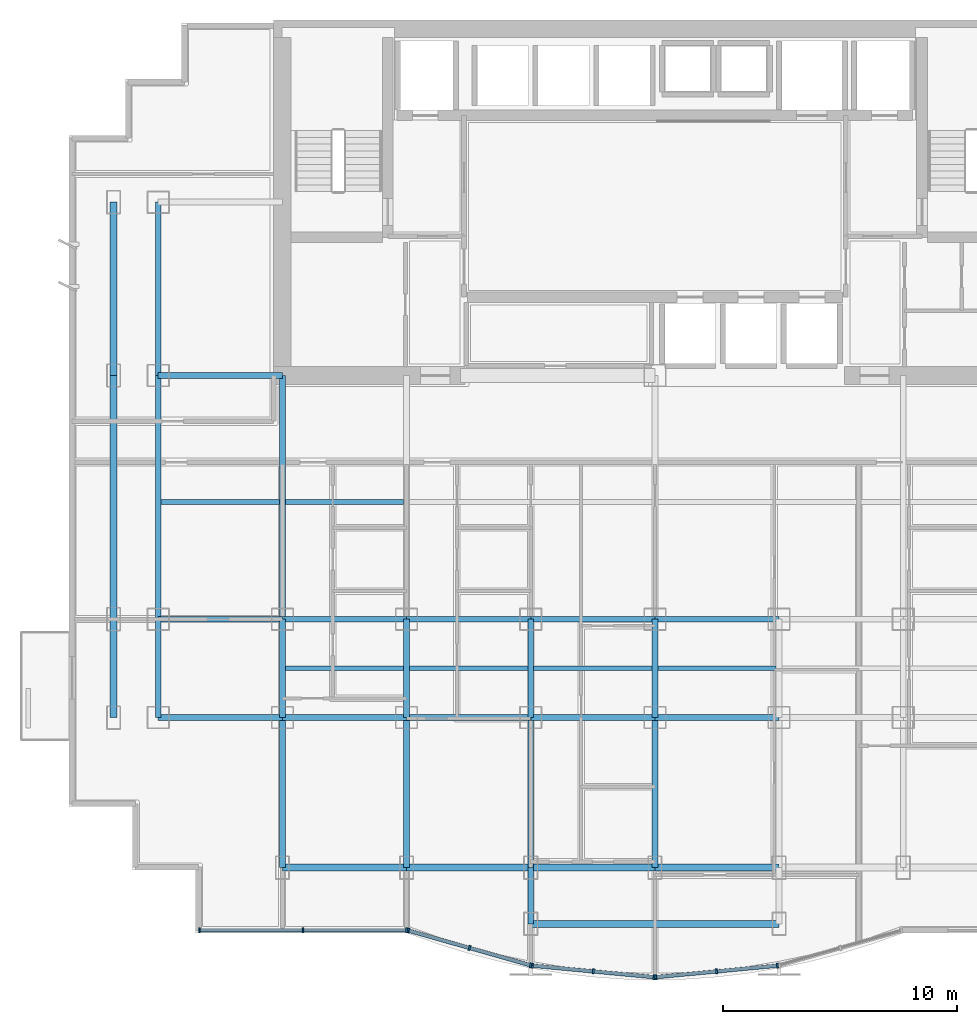
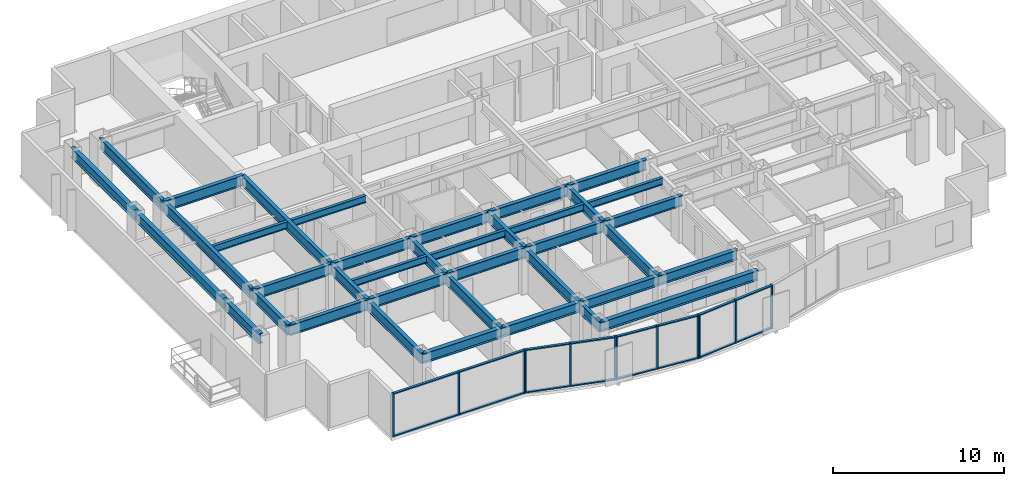
# One storey, part 2 of 10: 38 beams, 28 members, 4 elements without a shape of their own.
"""IFC4 building model written with IfcOpenShell, lengths in metres."""

from ifc_helpers import new_model, si_unit, direction, frame, origin, origin_2d, place, context, subcontext, project, spatial, rectangle, i_section, extrude, source, transform, mapped, material, layer, layer_set, material_profile, profile_set, type_object, element, aggregate, save


model = new_model("IFC4")

# Units and contexts
model_context = context("Model", 3, precision=1e-05, world=origin(), true_north=direction((0.0, 1.0)))
body_context = subcontext(model_context, "Body", "Model", "MODEL_VIEW")
ifc_project = project(units=[si_unit("LENGTHUNIT", "METRE"), si_unit("AREAUNIT", "SQUARE_METRE"), si_unit("VOLUMEUNIT", "CUBIC_METRE"), si_unit("PLANEANGLEUNIT", "RADIAN"), si_unit("MASSUNIT", "GRAM", prefix="KILO")], contexts=[model_context])

# Site, building, storey
site_placement = place(None, origin())
site = spatial("IfcSite", under=ifc_project, at=site_placement, CompositionType="ELEMENT")
building_placement = place(site_placement, origin())
building = spatial("IfcBuilding", under=site, at=building_placement, Name="Qianlan Lanfeng Residences", CompositionType="ELEMENT")
storey_placement = place(building_placement, frame((0.0, 0.0, 118.0)))
storey = spatial("IfcBuildingStorey", under=building, at=storey_placement, Name="L32", CompositionType="ELEMENT", Elevation=118.0)

# Beams
ifc_material_1 = material(Name="Steel SN490B", Category="steel")
ifc_material_profile_1 = material_profile(ifc_material_1, i_section(OverallWidth=0.25, OverallDepth=0.75, WebThickness=0.013916015625, FlangeThickness=0.02490234375, at=origin_2d()), Name="H 750x250x14x25")
ifc_profile_set_1 = profile_set([ifc_material_profile_1], Name="Steel SN490B")
beam_type_1 = type_object("IfcBeamType", Name="G-850", PredefinedType="BEAM", material=ifc_profile_set_1)
beam_1_placement = place(storey_placement, frame((5.300048828125, 10.60009765625, 2.715087890625), z_axis=(1.0, 0.0, 0.0), x_axis=(0.0, 1.0, 0.0)))
element("IfcBeam", 1, at=beam_1_placement, inside=storey, type_object=beam_type_1, Name="Structural beam G-850", PredefinedType="BEAM", context=body_context, shape_type="SweptSolid", body=[
    extrude(i_section(OverallWidth=0.25, OverallDepth=0.75, WebThickness=0.013916015625, FlangeThickness=0.02490234375, at=origin_2d()), origin(), (0.0, 0.0, 1.0), 5.300048828125),
])
beam_2_placement = place(storey_placement, frame((10.60009765625, 10.60009765625, 2.715087890625), z_axis=(1.0, 0.0, 0.0), x_axis=(0.0, 1.0, 0.0)))
element("IfcBeam", 2, at=beam_2_placement, inside=storey, type_object=beam_type_1, Name="Structural beam G-850", PredefinedType="BEAM", context=body_context, shape_type="SweptSolid", body=[
    extrude(i_section(OverallWidth=0.25, OverallDepth=0.75, WebThickness=0.013916015625, FlangeThickness=0.02490234375, at=origin_2d()), origin(), (0.0, 0.0, 1.0), 5.2998046875),
])
for number, where, z_axis, x_axis, name in (
    (3, (15.89990234375, 10.60009765625, 2.715087890625), (1.0, 0.0, 0.0), (0.0, 1.0, 0.0), "Structural beam G-850"),
    (4, (21.199951171875, 10.60009765625, 2.715087890625), (1.0, 0.0, 0.0), (0.0, 1.0, 0.0), "Structural beam G-850"),
    (5, (26.5, 10.60009765625, 2.715087890625), (1.0, 0.0, 0.0), (0.0, 1.0, 0.0), "Structural beam G-850"),
    (6, (5.300048828125, 14.800048828125, 2.715087890625), (1.0, 0.0, 0.0), (0.0, 1.0, 0.0), "Structural beam G-850"),
):
    element("IfcBeam", number, at=place(storey_placement, frame(where, z_axis=z_axis, x_axis=x_axis)), inside=storey, type_object=beam_type_1, Name=name, PredefinedType="BEAM", context=body_context, shape_type="SweptSolid", body=[
        extrude(i_section(OverallWidth=0.25, OverallDepth=0.75, WebThickness=0.013916015625, FlangeThickness=0.02490234375, at=origin_2d()), origin(), (0.0, 0.0, 1.0), 5.300048828125),
    ])
beam_3_placement = place(storey_placement, frame((10.60009765625, 14.800048828125, 2.715087890625), z_axis=(1.0, 0.0, 0.0), x_axis=(0.0, 1.0, 0.0)))
element("IfcBeam", 7, at=beam_3_placement, inside=storey, type_object=beam_type_1, Name="Structural beam G-850", PredefinedType="BEAM", context=body_context, shape_type="SweptSolid", body=[
    extrude(i_section(OverallWidth=0.25, OverallDepth=0.75, WebThickness=0.013916015625, FlangeThickness=0.02490234375, at=origin_2d()), origin(), (0.0, 0.0, 1.0), 5.2998046875),
])
for number, where, z_axis, x_axis, name in (
    (8, (15.89990234375, 14.800048828125, 2.715087890625), (1.0, 0.0, 0.0), (0.0, 1.0, 0.0), "Structural beam G-850"),
    (9, (21.199951171875, 14.800048828125, 2.715087890625), (1.0, 0.0, 0.0), (0.0, 1.0, 0.0), "Structural beam G-850"),
    (10, (26.5, 14.800048828125, 2.715087890625), (1.0, 0.0, 0.0), (0.0, 1.0, 0.0), "Structural beam G-850"),
    (11, (5.300048828125, 25.199951171875, 2.715087890625), (1.0, 0.0, 0.0), (0.0, 1.0, 0.0), "Structural beam G-850"),
):
    element("IfcBeam", number, at=place(storey_placement, frame(where, z_axis=z_axis, x_axis=x_axis)), inside=storey, type_object=beam_type_1, Name=name, PredefinedType="BEAM", context=body_context, shape_type="SweptSolid", body=[
        extrude(i_section(OverallWidth=0.25, OverallDepth=0.75, WebThickness=0.013916015625, FlangeThickness=0.02490234375, at=origin_2d()), origin(), (0.0, 0.0, 1.0), 5.300048828125),
    ])
beam_4_placement = place(storey_placement, frame((5.300048828125, 10.60009765625, 2.715087890625), z_axis=(0.0, 1.0, 0.0), x_axis=(-1.0, 0.0, 0.0)))
element("IfcBeam", 12, at=beam_4_placement, inside=storey, type_object=beam_type_1, Name="Structural beam G-850", PredefinedType="BEAM", context=body_context, shape_type="SweptSolid", body=[
    extrude(i_section(OverallWidth=0.25, OverallDepth=0.75, WebThickness=0.013916015625, FlangeThickness=0.02490234375, at=origin_2d()), origin(), (0.0, 0.0, 1.0), 4.199951171875),
])
beam_5_placement = place(storey_placement, frame((5.300048828125, 14.800048828125, 2.715087890625), z_axis=(0.0, 1.0, 0.0), x_axis=(-1.0, 0.0, 0.0)))
element("IfcBeam", 13, at=beam_5_placement, inside=storey, type_object=beam_type_1, Name="Structural beam G-850", PredefinedType="BEAM", context=body_context, shape_type="SweptSolid", body=[
    extrude(i_section(OverallWidth=0.25, OverallDepth=0.75, WebThickness=0.013916015625, FlangeThickness=0.02490234375, at=origin_2d()), origin(), (0.0, 0.0, 1.0), 10.39990234375),
])
beam_6_placement = place(storey_placement, frame((5.300048828125, 25.199951171875, 2.715087890625), z_axis=(0.0, 1.0, 0.0), x_axis=(-1.0, 0.0, 0.0)))
element("IfcBeam", 14, at=beam_6_placement, inside=storey, type_object=beam_type_1, Name="Structural beam G-850", PredefinedType="BEAM", context=body_context, shape_type="SweptSolid", body=[
    extrude(i_section(OverallWidth=0.25, OverallDepth=0.75, WebThickness=0.013916015625, FlangeThickness=0.02490234375, at=origin_2d()), origin(), (0.0, 0.0, 1.0), 7.400146484375),
])
beam_7_placement = place(storey_placement, frame((10.60009765625, 4.199951171875, 2.715087890625), z_axis=(0.0, 1.0, 0.0), x_axis=(-1.0, 0.0, 0.0)))
element("IfcBeam", 15, at=beam_7_placement, inside=storey, type_object=beam_type_1, Name="Structural beam G-850", PredefinedType="BEAM", context=body_context, shape_type="SweptSolid", body=[
    extrude(i_section(OverallWidth=0.25, OverallDepth=0.75, WebThickness=0.013916015625, FlangeThickness=0.02490234375, at=origin_2d()), origin(), (0.0, 0.0, 1.0), 6.400146484375),
])
beam_8_placement = place(storey_placement, frame((10.60009765625, 10.60009765625, 2.715087890625), z_axis=(0.0, 1.0, 0.0), x_axis=(-1.0, 0.0, 0.0)))
element("IfcBeam", 16, at=beam_8_placement, inside=storey, type_object=beam_type_1, Name="Structural beam G-850", PredefinedType="BEAM", context=body_context, shape_type="SweptSolid", body=[
    extrude(i_section(OverallWidth=0.25, OverallDepth=0.75, WebThickness=0.013916015625, FlangeThickness=0.02490234375, at=origin_2d()), origin(), (0.0, 0.0, 1.0), 4.199951171875),
])
beam_9_placement = place(storey_placement, frame((10.60009765625, 14.800048828125, 2.715087890625), z_axis=(0.0, 1.0, 0.0), x_axis=(-1.0, 0.0, 0.0)))
element("IfcBeam", 17, at=beam_9_placement, inside=storey, type_object=beam_type_1, Name="Structural beam G-850", PredefinedType="BEAM", context=body_context, shape_type="SweptSolid", body=[
    extrude(i_section(OverallWidth=0.25, OverallDepth=0.75, WebThickness=0.013916015625, FlangeThickness=0.02490234375, at=origin_2d()), origin(), (0.0, 0.0, 1.0), 10.39990234375),
])
beam_10_placement = place(storey_placement, frame((15.89990234375, 4.199951171875, 2.715087890625), z_axis=(0.0, 1.0, 0.0), x_axis=(-1.0, 0.0, 0.0)))
element("IfcBeam", 18, at=beam_10_placement, inside=storey, type_object=beam_type_1, Name="Structural beam G-850", PredefinedType="BEAM", context=body_context, shape_type="SweptSolid", body=[
    extrude(i_section(OverallWidth=0.25, OverallDepth=0.75, WebThickness=0.013916015625, FlangeThickness=0.02490234375, at=origin_2d()), origin(), (0.0, 0.0, 1.0), 6.400146484375),
])
beam_11_placement = place(storey_placement, frame((15.89990234375, 10.60009765625, 2.715087890625), z_axis=(0.0, 1.0, 0.0), x_axis=(-1.0, 0.0, 0.0)))
element("IfcBeam", 19, at=beam_11_placement, inside=storey, type_object=beam_type_1, Name="Structural beam G-850", PredefinedType="BEAM", context=body_context, shape_type="SweptSolid", body=[
    extrude(i_section(OverallWidth=0.25, OverallDepth=0.75, WebThickness=0.013916015625, FlangeThickness=0.02490234375, at=origin_2d()), origin(), (0.0, 0.0, 1.0), 4.199951171875),
])
beam_12_placement = place(storey_placement, frame((21.199951171875, 1.800048828125, 2.715087890625), z_axis=(0.0, 1.0, 0.0), x_axis=(-1.0, 0.0, 0.0)))
element("IfcBeam", 20, at=beam_12_placement, inside=storey, type_object=beam_type_1, Name="Structural beam G-850", PredefinedType="BEAM", context=body_context, shape_type="SweptSolid", body=[
    extrude(i_section(OverallWidth=0.25, OverallDepth=0.75, WebThickness=0.013916015625, FlangeThickness=0.02490234375, at=origin_2d()), origin(), (0.0, 0.0, 1.0), 2.39990234375),
])
beam_13_placement = place(storey_placement, frame((21.199951171875, 4.199951171875, 2.715087890625), z_axis=(0.0, 1.0, 0.0), x_axis=(-1.0, 0.0, 0.0)))
element("IfcBeam", 21, at=beam_13_placement, inside=storey, type_object=beam_type_1, Name="Structural beam G-850", PredefinedType="BEAM", context=body_context, shape_type="SweptSolid", body=[
    extrude(i_section(OverallWidth=0.25, OverallDepth=0.75, WebThickness=0.013916015625, FlangeThickness=0.02490234375, at=origin_2d()), origin(), (0.0, 0.0, 1.0), 6.400146484375),
])
beam_14_placement = place(storey_placement, frame((21.199951171875, 10.60009765625, 2.715087890625), z_axis=(0.0, 1.0, 0.0), x_axis=(-1.0, 0.0, 0.0)))
element("IfcBeam", 22, at=beam_14_placement, inside=storey, type_object=beam_type_1, Name="Structural beam G-850", PredefinedType="BEAM", context=body_context, shape_type="SweptSolid", body=[
    extrude(i_section(OverallWidth=0.25, OverallDepth=0.75, WebThickness=0.013916015625, FlangeThickness=0.02490234375, at=origin_2d()), origin(), (0.0, 0.0, 1.0), 4.199951171875),
])
beam_15_placement = place(storey_placement, frame((26.5, 4.199951171875, 2.715087890625), z_axis=(0.0, 1.0, 0.0), x_axis=(-1.0, 0.0, 0.0)))
element("IfcBeam", 23, at=beam_15_placement, inside=storey, type_object=beam_type_1, Name="Structural beam G-850", PredefinedType="BEAM", context=body_context, shape_type="SweptSolid", body=[
    extrude(i_section(OverallWidth=0.25, OverallDepth=0.75, WebThickness=0.013916015625, FlangeThickness=0.02490234375, at=origin_2d()), origin(), (0.0, 0.0, 1.0), 6.400146484375),
])
beam_16_placement = place(storey_placement, frame((26.5, 10.60009765625, 2.715087890625), z_axis=(0.0, 1.0, 0.0), x_axis=(-1.0, 0.0, 0.0)))
element("IfcBeam", 24, at=beam_16_placement, inside=storey, type_object=beam_type_1, Name="Structural beam G-850", PredefinedType="BEAM", context=body_context, shape_type="SweptSolid", body=[
    extrude(i_section(OverallWidth=0.25, OverallDepth=0.75, WebThickness=0.013916015625, FlangeThickness=0.02490234375, at=origin_2d()), origin(), (0.0, 0.0, 1.0), 4.199951171875),
])
ifc_material_profile_2 = material_profile(ifc_material_1, i_section(OverallWidth=0.199951171875, OverallDepth=0.5, WebThickness=0.010009765625, FlangeThickness=0.01611328125, at=origin_2d()), Name="H 500x200x10x16")
ifc_profile_set_2 = profile_set([ifc_material_profile_2], Name="Steel SN490B")
beam_type_2 = type_object("IfcBeamType", Name="J-500", PredefinedType="JOIST", material=ifc_profile_set_2)
beam_17_placement = place(storey_placement, frame((10.72509765625, 12.699951171875, 2.840087890625), z_axis=(1.0, 0.0, 0.0), x_axis=(0.0, 1.0, 0.0)))
element("IfcBeam", 25, at=beam_17_placement, inside=storey, type_object=beam_type_2, Name="Structural beam J-500", PredefinedType="JOIST", context=body_context, shape_type="SweptSolid", body=[
    extrude(i_section(OverallWidth=0.199951171875, OverallDepth=0.5, WebThickness=0.010009765625, FlangeThickness=0.01611328125, at=origin_2d()), origin(), (0.0, 0.0, 1.0), 5.0498046875),
])
for number, where, z_axis, x_axis, name in (
    (26, (16.02490234375, 12.699951171875, 2.840087890625), (1.0, 0.0, 0.0), (0.0, 1.0, 0.0), "Structural beam J-500"),
    (27, (21.324951171875, 12.699951171875, 2.840087890625), (1.0, 0.0, 0.0), (0.0, 1.0, 0.0), "Structural beam J-500"),
    (28, (26.625, 12.699951171875, 2.840087890625), (1.0, 0.0, 0.0), (0.0, 1.0, 0.0), "Structural beam J-500"),
    (29, (5.425048828125, 19.800048828125, 2.840087890625), (1.0, 0.0, 0.0), (0.0, 1.0, 0.0), "Structural beam J-500"),
):
    element("IfcBeam", number, at=place(storey_placement, frame(where, z_axis=z_axis, x_axis=x_axis)), inside=storey, type_object=beam_type_2, Name=name, PredefinedType="JOIST", context=body_context, shape_type="SweptSolid", body=[
        extrude(i_section(OverallWidth=0.199951171875, OverallDepth=0.5, WebThickness=0.010009765625, FlangeThickness=0.01611328125, at=origin_2d()), origin(), (0.0, 0.0, 1.0), 5.050048828125),
    ])
beam_18_placement = place(storey_placement, frame((10.72509765625, 19.800048828125, 2.840087890625), z_axis=(1.0, 0.0, 0.0), x_axis=(0.0, 1.0, 0.0)))
element("IfcBeam", 30, at=beam_18_placement, inside=storey, type_object=beam_type_2, Name="Structural beam J-500", PredefinedType="JOIST", context=body_context, shape_type="SweptSolid", body=[
    extrude(i_section(OverallWidth=0.199951171875, OverallDepth=0.5, WebThickness=0.010009765625, FlangeThickness=0.01611328125, at=origin_2d()), origin(), (0.0, 0.0, 1.0), 5.0498046875),
])
ifc_material_profile_3 = material_profile(ifc_material_1, i_section(OverallWidth=0.300048828125, OverallDepth=0.699951171875, WebThickness=0.012939453125, FlangeThickness=0.02392578125, at=origin_2d()), Name="H 700x300x13x24")
ifc_profile_set_3 = profile_set([ifc_material_profile_3], Name="Steel SN490B")
beam_type_3 = type_object("IfcBeamType", Name="SG-750", PredefinedType="SPANDREL", material=ifc_profile_set_3)
beam_19_placement = place(storey_placement, frame((21.199951171875, 1.800048828125, 2.739990234375), z_axis=(1.0, 0.0, 0.0), x_axis=(0.0, 1.0, 0.0)))
element("IfcBeam", 31, at=beam_19_placement, inside=storey, type_object=beam_type_3, Name="Structural beam SG-750", PredefinedType="SPANDREL", context=body_context, shape_type="SweptSolid", body=[
    extrude(i_section(OverallWidth=0.300048828125, OverallDepth=0.699951171875, WebThickness=0.012939453125, FlangeThickness=0.02392578125, at=origin_2d()), origin(), (0.0, 0.0, 1.0), 10.60009765625),
])
beam_20_placement = place(storey_placement, frame((10.60009765625, 4.199951171875, 2.739990234375), z_axis=(1.0, 0.0, 0.0), x_axis=(0.0, 1.0, 0.0)))
element("IfcBeam", 32, at=beam_20_placement, inside=storey, type_object=beam_type_3, Name="Structural beam SG-750", PredefinedType="SPANDREL", context=body_context, shape_type="SweptSolid", body=[
    extrude(i_section(OverallWidth=0.300048828125, OverallDepth=0.699951171875, WebThickness=0.012939453125, FlangeThickness=0.02392578125, at=origin_2d()), origin(), (0.0, 0.0, 1.0), 5.2998046875),
])
for number, where, z_axis, x_axis, name in (
    (33, (15.89990234375, 4.199951171875, 2.739990234375), (1.0, 0.0, 0.0), (0.0, 1.0, 0.0), "Structural beam SG-750"),
    (34, (21.199951171875, 4.199951171875, 2.739990234375), (1.0, 0.0, 0.0), (0.0, 1.0, 0.0), "Structural beam SG-750"),
    (35, (26.5, 4.199951171875, 2.739990234375), (1.0, 0.0, 0.0), (0.0, 1.0, 0.0), "Structural beam SG-750"),
):
    element("IfcBeam", number, at=place(storey_placement, frame(where, z_axis=z_axis, x_axis=x_axis)), inside=storey, type_object=beam_type_3, Name=name, PredefinedType="SPANDREL", context=body_context, shape_type="SweptSolid", body=[
        extrude(i_section(OverallWidth=0.300048828125, OverallDepth=0.699951171875, WebThickness=0.012939453125, FlangeThickness=0.02392578125, at=origin_2d()), origin(), (0.0, 0.0, 1.0), 5.300048828125),
    ])
beam_21_placement = place(storey_placement, frame((3.39990234375, 10.60009765625, 2.739990234375), z_axis=(0.0, 1.0, 0.0), x_axis=(-1.0, 0.0, 0.0)))
element("IfcBeam", 36, at=beam_21_placement, inside=storey, type_object=beam_type_3, Name="Structural beam SG-750", PredefinedType="SPANDREL", context=body_context, shape_type="SweptSolid", body=[
    extrude(i_section(OverallWidth=0.300048828125, OverallDepth=0.699951171875, WebThickness=0.012939453125, FlangeThickness=0.02392578125, at=origin_2d()), origin(), (0.0, 0.0, 1.0), 4.199951171875),
])
beam_22_placement = place(storey_placement, frame((3.39990234375, 14.800048828125, 2.739990234375), z_axis=(0.0, 1.0, 0.0), x_axis=(-1.0, 0.0, 0.0)))
element("IfcBeam", 37, at=beam_22_placement, inside=storey, type_object=beam_type_3, Name="Structural beam SG-750", PredefinedType="SPANDREL", context=body_context, shape_type="SweptSolid", body=[
    extrude(i_section(OverallWidth=0.300048828125, OverallDepth=0.699951171875, WebThickness=0.012939453125, FlangeThickness=0.02392578125, at=origin_2d()), origin(), (0.0, 0.0, 1.0), 10.39990234375),
])
beam_23_placement = place(storey_placement, frame((3.39990234375, 25.199951171875, 2.739990234375), z_axis=(0.0, 1.0, 0.0), x_axis=(-1.0, 0.0, 0.0)))
element("IfcBeam", 38, at=beam_23_placement, inside=storey, type_object=beam_type_3, Name="Structural beam SG-750", PredefinedType="SPANDREL", context=body_context, shape_type="SweptSolid", body=[
    extrude(i_section(OverallWidth=0.300048828125, OverallDepth=0.699951171875, WebThickness=0.012939453125, FlangeThickness=0.02392578125, at=origin_2d()), origin(), (0.0, 0.0, 1.0), 7.400146484375),
])

# Curtain wall, members
ifc_material_2 = material(Name="Anodised Bronze Aluminium 6063-T6", Category="aluminium")
ifc_layer = layer(ifc_material_2, 0.219970703125)
ifc_layer_set = layer_set([ifc_layer], Name="Anodised Bronze Aluminium 6063-T6")
curtain_wall_type = type_object("IfcCurtainWallType", Name="CW-03", PredefinedType="NOTDEFINED", material=ifc_layer_set)
curtain_wall_1_placement = place(storey_placement, origin())
curtain_wall_1 = element("IfcCurtainWall", 39, at=curtain_wall_1_placement, inside=storey, type_object=curtain_wall_type, Name="L32 Unitised Curtain Wall CWR-L32-01 (CW-03)", PredefinedType="NOTDEFINED")
ifc_material_profile_4 = material_profile(ifc_material_2, rectangle(XDim=0.080078125, YDim=0.159912109375, at=origin_2d()), Name="ALU TRANSOM 80x160")
ifc_profile_set_4 = profile_set([ifc_material_profile_4], Name="Anodised Bronze Aluminium 6063-T6")
member_type_1 = type_object("IfcMemberType", Name="CWT-180", PredefinedType="USERDEFINED", material=ifc_profile_set_4)
shared_shape_1 = source(origin(), body_context, "Body", "SweptSolid", [
    extrude(rectangle(XDim=0.080078125, YDim=0.159912109375, at=origin_2d()), origin(), (0.0, 0.0, 1.0), 4.34033203125),
])
member_1_placement = place(storey_placement, frame((7.10009765625, 1.52001953125, 0.0400390625), z_axis=(1.0, 0.0, 0.0), x_axis=(0.0, 0.0, 1.0)))
member_1 = element("IfcMember", 40, at=member_1_placement, type_object=member_type_1, Name="CWR-L32-01 Transom 1-BOT", ObjectType="TRANSOM", PredefinedType="USERDEFINED", context=body_context, shape_type="MappedRepresentation", body=[
    mapped(shared_shape_1, transform((0.0, 0.0, 0.0), scale=1.0)),
])
member_2_placement = place(storey_placement, frame((7.10009765625, 1.52001953125, 3.050048828125), z_axis=(1.0, 0.0, 0.0), x_axis=(0.0, 0.0, 1.0)))
member_2 = element("IfcMember", 41, at=member_2_placement, type_object=member_type_1, Name="CWR-L32-01 Transom 1-TOP", ObjectType="TRANSOM", PredefinedType="USERDEFINED", context=body_context, shape_type="MappedRepresentation", body=[
    mapped(shared_shape_1, transform((0.0, 0.0, 0.0), scale=1.0)),
])
shared_shape_2 = source(origin(), body_context, "Body", "SweptSolid", [
    extrude(rectangle(XDim=0.080078125, YDim=0.159912109375, at=origin_2d()), origin(), (0.0, 0.0, 1.0), 4.340576171875),
])
member_3_placement = place(storey_placement, frame((11.5205078125, 1.52001953125, 0.0400390625), z_axis=(1.0, 0.0, 0.0), x_axis=(0.0, 0.0, 1.0)))
member_3 = element("IfcMember", 42, at=member_3_placement, type_object=member_type_1, Name="CWR-L32-01 Transom 2-BOT", ObjectType="TRANSOM", PredefinedType="USERDEFINED", context=body_context, shape_type="MappedRepresentation", body=[
    mapped(shared_shape_2, transform((0.0, 0.0, 0.0), scale=1.0)),
])
member_4_placement = place(storey_placement, frame((11.5205078125, 1.52001953125, 3.050048828125), z_axis=(1.0, 0.0, 0.0), x_axis=(0.0, 0.0, 1.0)))
member_4 = element("IfcMember", 43, at=member_4_placement, type_object=member_type_1, Name="CWR-L32-01 Transom 2-TOP", ObjectType="TRANSOM", PredefinedType="USERDEFINED", context=body_context, shape_type="MappedRepresentation", body=[
    mapped(shared_shape_2, transform((0.0, 0.0, 0.0), scale=1.0)),
])

curtain_wall_2_placement = place(storey_placement, origin())
curtain_wall_2 = element("IfcCurtainWall", 44, at=curtain_wall_2_placement, inside=storey, type_object=curtain_wall_type, Name="L32 Unitised Curtain Wall CWR-L32-02 (CW-03)", PredefinedType="NOTDEFINED")
shared_shape_3 = source(origin(), body_context, "Body", "SweptSolid", [
    extrude(rectangle(XDim=0.080078125, YDim=0.159912109375, at=origin_2d()), origin(), (0.0, 0.0, 1.0), 2.630126953125),
])
member_5_placement = place(storey_placement, frame((16.01806640625, 1.498291015625, 0.0400390625), z_axis=(0.961960587005, -0.273188266675, 0.0), x_axis=(0.0, 0.0, 1.0)))
member_5 = element("IfcMember", 45, at=member_5_placement, type_object=member_type_1, Name="CWR-L32-02 Transom 1-BOT", ObjectType="TRANSOM", PredefinedType="USERDEFINED", context=body_context, shape_type="MappedRepresentation", body=[
    mapped(shared_shape_3, transform((0.0, 0.0, 0.0), scale=1.0)),
])
member_6_placement = place(storey_placement, frame((16.01806640625, 1.498291015625, 3.050048828125), z_axis=(0.961960587005, -0.273188266675, 0.0), x_axis=(0.0, 0.0, 1.0)))
member_6 = element("IfcMember", 46, at=member_6_placement, type_object=member_type_1, Name="CWR-L32-02 Transom 1-TOP", ObjectType="TRANSOM", PredefinedType="USERDEFINED", context=body_context, shape_type="MappedRepresentation", body=[
    mapped(shared_shape_3, transform((0.0, 0.0, 0.0), scale=1.0)),
])
member_7_placement = place(storey_placement, frame((18.625, 0.758056640625, 0.0400390625), z_axis=(0.961984978242, -0.273102364758, 0.0), x_axis=(0.0, 0.0, 1.0)))
member_7 = element("IfcMember", 47, at=member_7_placement, type_object=member_type_1, Name="CWR-L32-02 Transom 2-BOT", ObjectType="TRANSOM", PredefinedType="USERDEFINED", context=body_context, shape_type="MappedRepresentation", body=[
    mapped(shared_shape_3, transform((0.0, 0.0, 0.0), scale=1.0)),
])
member_8_placement = place(storey_placement, frame((18.625, 0.758056640625, 3.050048828125), z_axis=(0.961984978242, -0.273102364758, 0.0), x_axis=(0.0, 0.0, 1.0)))
member_8 = element("IfcMember", 48, at=member_8_placement, type_object=member_type_1, Name="CWR-L32-02 Transom 2-TOP", ObjectType="TRANSOM", PredefinedType="USERDEFINED", context=body_context, shape_type="MappedRepresentation", body=[
    mapped(shared_shape_3, transform((0.0, 0.0, 0.0), scale=1.0)),
])

curtain_wall_3_placement = place(storey_placement, origin())
curtain_wall_3 = element("IfcCurtainWall", 49, at=curtain_wall_3_placement, inside=storey, type_object=curtain_wall_type, Name="L32 Unitised Curtain Wall CWR-L32-03 (CW-03)", PredefinedType="NOTDEFINED")
shared_shape_4 = source(origin(), body_context, "Body", "SweptSolid", [
    extrude(rectangle(XDim=0.080078125, YDim=0.159912109375, at=origin_2d()), origin(), (0.0, 0.0, 1.0), 2.52587890625),
])
member_9_placement = place(storey_placement, frame((21.3115234375, 0.010498046875, 0.0400390625), z_axis=(0.995558673677, -0.094143121181, 0.0), x_axis=(0.0, 0.0, 1.0)))
member_9 = element("IfcMember", 50, at=member_9_placement, type_object=member_type_1, Name="CWR-L32-03 Transom 1-BOT", ObjectType="TRANSOM", PredefinedType="USERDEFINED", context=body_context, shape_type="MappedRepresentation", body=[
    mapped(shared_shape_4, transform((0.0, 0.0, 0.0), scale=1.0)),
])
member_10_placement = place(storey_placement, frame((21.3115234375, 0.010498046875, 3.050048828125), z_axis=(0.995558673677, -0.094143121181, 0.0), x_axis=(0.0, 0.0, 1.0)))
member_10 = element("IfcMember", 51, at=member_10_placement, type_object=member_type_1, Name="CWR-L32-03 Transom 1-TOP", ObjectType="TRANSOM", PredefinedType="USERDEFINED", context=body_context, shape_type="MappedRepresentation", body=[
    mapped(shared_shape_4, transform((0.0, 0.0, 0.0), scale=1.0)),
])
member_11_placement = place(storey_placement, frame((23.90576171875, -0.23486328125, 0.0400390625), z_axis=(0.995567728251, -0.094047320348, 0.0), x_axis=(0.0, 0.0, 1.0)))
member_11 = element("IfcMember", 52, at=member_11_placement, type_object=member_type_1, Name="CWR-L32-03 Transom 2-BOT", ObjectType="TRANSOM", PredefinedType="USERDEFINED", context=body_context, shape_type="MappedRepresentation", body=[
    mapped(shared_shape_4, transform((0.0, 0.0, 0.0), scale=1.0)),
])
member_12_placement = place(storey_placement, frame((23.90576171875, -0.23486328125, 3.050048828125), z_axis=(0.995567728251, -0.094047320348, 0.0), x_axis=(0.0, 0.0, 1.0)))
member_12 = element("IfcMember", 53, at=member_12_placement, type_object=member_type_1, Name="CWR-L32-03 Transom 2-TOP", ObjectType="TRANSOM", PredefinedType="USERDEFINED", context=body_context, shape_type="MappedRepresentation", body=[
    mapped(shared_shape_4, transform((0.0, 0.0, 0.0), scale=1.0)),
])

curtain_wall_4_placement = place(storey_placement, origin())
curtain_wall_4 = element("IfcCurtainWall", 54, at=curtain_wall_4_placement, inside=storey, type_object=curtain_wall_type, Name="L32 Unitised Curtain Wall CWR-L32-04 (CW-03)", PredefinedType="NOTDEFINED")
member_13_placement = place(storey_placement, frame((29.173828125, -0.227294921875, 0.0400390625), z_axis=(0.995558673677, 0.094143121181, 0.0), x_axis=(0.0, 0.0, 1.0)))
member_13 = element("IfcMember", 55, at=member_13_placement, type_object=member_type_1, Name="CWR-L32-04 Transom 2-BOT", ObjectType="TRANSOM", PredefinedType="USERDEFINED", context=body_context, shape_type="MappedRepresentation", body=[
    mapped(shared_shape_4, transform((0.0, 0.0, 0.0), scale=1.0)),
])
member_14_placement = place(storey_placement, frame((29.173828125, -0.227294921875, 3.050048828125), z_axis=(0.995558673677, 0.094143121181, 0.0), x_axis=(0.0, 0.0, 1.0)))
member_14 = element("IfcMember", 56, at=member_14_placement, type_object=member_type_1, Name="CWR-L32-04 Transom 2-TOP", ObjectType="TRANSOM", PredefinedType="USERDEFINED", context=body_context, shape_type="MappedRepresentation", body=[
    mapped(shared_shape_4, transform((0.0, 0.0, 0.0), scale=1.0)),
])
shared_shape_5 = source(origin(), body_context, "Body", "SweptSolid", [
    extrude(rectangle(XDim=0.080078125, YDim=0.159912109375, at=origin_2d()), origin(), (0.0, 0.0, 1.0), 2.525634765625),
])
member_15_placement = place(storey_placement, frame((26.57958984375, -0.472412109375, 0.0400390625), z_axis=(0.995566873206, 0.094056371262, 0.0), x_axis=(0.0, 0.0, 1.0)))
member_15 = element("IfcMember", 57, at=member_15_placement, type_object=member_type_1, Name="CWR-L32-04 Transom 1-BOT", ObjectType="TRANSOM", PredefinedType="USERDEFINED", context=body_context, shape_type="MappedRepresentation", body=[
    mapped(shared_shape_5, transform((0.0, 0.0, 0.0), scale=1.0)),
])
member_16_placement = place(storey_placement, frame((26.57958984375, -0.472412109375, 3.050048828125), z_axis=(0.995566873206, 0.094056371262, 0.0), x_axis=(0.0, 0.0, 1.0)))
member_16 = element("IfcMember", 58, at=member_16_placement, type_object=member_type_1, Name="CWR-L32-04 Transom 1-TOP", ObjectType="TRANSOM", PredefinedType="USERDEFINED", context=body_context, shape_type="MappedRepresentation", body=[
    mapped(shared_shape_5, transform((0.0, 0.0, 0.0), scale=1.0)),
])

# Member
ifc_material_profile_5 = material_profile(ifc_material_2, rectangle(XDim=0.080078125, YDim=0.2099609375, at=origin_2d()), Name="ALU MULLION 80x210")
ifc_profile_set_5 = profile_set([ifc_material_profile_5], Name="Anodised Bronze Aluminium 6063-T6")
member_type_2 = type_object("IfcMemberType", Name="CWM-220", PredefinedType="MULLION", material=ifc_profile_set_5)
shared_shape_6 = source(origin(), body_context, "Body", "SweptSolid", [
    extrude(rectangle(XDim=0.080078125, YDim=0.2099609375, at=origin_2d()), origin(), (0.0, 0.0, 1.0), 3.090087890625),
])
member_17_placement = place(storey_placement, frame((7.06005859375, 1.52001953125, 0.0), z_axis=(0.0, 0.0, 1.0), x_axis=(1.0, 0.0, 0.0)))
member_17 = element("IfcMember", 59, at=member_17_placement, type_object=member_type_2, Name="CWR-L32-01 Mullion 1", PredefinedType="MULLION", context=body_context, shape_type="MappedRepresentation", body=[
    mapped(shared_shape_6, transform((0.0, 0.0, 0.0), scale=1.0)),
])

member_18_placement = place(storey_placement, frame((11.48046875, 1.52001953125, 0.0), z_axis=(0.0, 0.0, 1.0), x_axis=(1.0, 0.0, 0.0)))
member_18 = element("IfcMember", 60, at=member_18_placement, type_object=member_type_2, Name="CWR-L32-01 Mullion 2", PredefinedType="MULLION", context=body_context, shape_type="MappedRepresentation", body=[
    mapped(shared_shape_6, transform((0.0, 0.0, 0.0), scale=1.0)),
])

member_19_placement = place(storey_placement, frame((15.90087890625, 1.52001953125, 0.0), z_axis=(0.0, 0.0, 1.0), x_axis=(1.0, 0.0, 0.0)))
member_19 = element("IfcMember", 61, at=member_19_placement, type_object=member_type_2, Name="CWR-L32-01 Mullion 3", PredefinedType="MULLION", context=body_context, shape_type="MappedRepresentation", body=[
    mapped(shared_shape_6, transform((0.0, 0.0, 0.0), scale=1.0)),
])

aggregate(curtain_wall_1, [member_17, member_18, member_19, member_1, member_2, member_3, member_4])

member_20_placement = place(storey_placement, frame((15.9794921875, 1.509033203125, 0.0), z_axis=(0.0, 0.0, 1.0), x_axis=(0.961989074302, -0.273087936247, 0.0)))
member_20 = element("IfcMember", 62, at=member_20_placement, type_object=member_type_2, Name="CWR-L32-02 Mullion 1", PredefinedType="MULLION", context=body_context, shape_type="MappedRepresentation", body=[
    mapped(shared_shape_6, transform((0.0, 0.0, 0.0), scale=1.0)),
])

member_21_placement = place(storey_placement, frame((18.58642578125, 0.76904296875, 0.0), z_axis=(0.0, 0.0, 1.0), x_axis=(0.961989074302, -0.273087936247, 0.0)))
member_21 = element("IfcMember", 63, at=member_21_placement, type_object=member_type_2, Name="CWR-L32-02 Mullion 2", PredefinedType="MULLION", context=body_context, shape_type="MappedRepresentation", body=[
    mapped(shared_shape_6, transform((0.0, 0.0, 0.0), scale=1.0)),
])

member_22_placement = place(storey_placement, frame((21.193603515625, 0.02880859375, 0.0), z_axis=(0.0, 0.0, 1.0), x_axis=(0.961989074302, -0.273087936247, 0.0)))
member_22 = element("IfcMember", 64, at=member_22_placement, type_object=member_type_2, Name="CWR-L32-02 Mullion 3", PredefinedType="MULLION", context=body_context, shape_type="MappedRepresentation", body=[
    mapped(shared_shape_6, transform((0.0, 0.0, 0.0), scale=1.0)),
])

aggregate(curtain_wall_2, [member_20, member_21, member_22, member_5, member_6, member_7, member_8])

member_23_placement = place(storey_placement, frame((21.271728515625, 0.01416015625, 0.0), z_axis=(0.0, 0.0, 1.0), x_axis=(0.995561471839, -0.094113526067, 0.0)))
member_23 = element("IfcMember", 65, at=member_23_placement, type_object=member_type_2, Name="CWR-L32-03 Mullion 1", PredefinedType="MULLION", context=body_context, shape_type="MappedRepresentation", body=[
    mapped(shared_shape_6, transform((0.0, 0.0, 0.0), scale=1.0)),
])

member_24_placement = place(storey_placement, frame((23.865966796875, -0.23095703125, 0.0), z_axis=(0.0, 0.0, 1.0), x_axis=(0.995561471839, -0.094113526067, 0.0)))
member_24 = element("IfcMember", 66, at=member_24_placement, type_object=member_type_2, Name="CWR-L32-03 Mullion 2", PredefinedType="MULLION", context=body_context, shape_type="MappedRepresentation", body=[
    mapped(shared_shape_6, transform((0.0, 0.0, 0.0), scale=1.0)),
])

member_25_placement = place(storey_placement, frame((26.460205078125, -0.476318359375, 0.0), z_axis=(0.0, 0.0, 1.0), x_axis=(0.995561471839, -0.094113526067, 0.0)))
member_25 = element("IfcMember", 67, at=member_25_placement, type_object=member_type_2, Name="CWR-L32-03 Mullion 3", PredefinedType="MULLION", context=body_context, shape_type="MappedRepresentation", body=[
    mapped(shared_shape_6, transform((0.0, 0.0, 0.0), scale=1.0)),
])

aggregate(curtain_wall_3, [member_23, member_24, member_25, member_9, member_10, member_11, member_12])

member_26_placement = place(storey_placement, frame((26.539794921875, -0.476318359375, 0.0), z_axis=(0.0, 0.0, 1.0), x_axis=(0.995561471839, 0.094113526067, 0.0)))
member_26 = element("IfcMember", 68, at=member_26_placement, type_object=member_type_2, Name="CWR-L32-04 Mullion 1", PredefinedType="MULLION", context=body_context, shape_type="MappedRepresentation", body=[
    mapped(shared_shape_6, transform((0.0, 0.0, 0.0), scale=1.0)),
])

member_27_placement = place(storey_placement, frame((29.134033203125, -0.23095703125, 0.0), z_axis=(0.0, 0.0, 1.0), x_axis=(0.995561471839, 0.094113526067, 0.0)))
member_27 = element("IfcMember", 69, at=member_27_placement, type_object=member_type_2, Name="CWR-L32-04 Mullion 2", PredefinedType="MULLION", context=body_context, shape_type="MappedRepresentation", body=[
    mapped(shared_shape_6, transform((0.0, 0.0, 0.0), scale=1.0)),
])

member_28_placement = place(storey_placement, frame((31.728271484375, 0.01416015625, 0.0), z_axis=(0.0, 0.0, 1.0), x_axis=(0.995561471839, 0.094113526067, 0.0)))
member_28 = element("IfcMember", 70, at=member_28_placement, type_object=member_type_2, Name="CWR-L32-04 Mullion 3", PredefinedType="MULLION", context=body_context, shape_type="MappedRepresentation", body=[
    mapped(shared_shape_6, transform((0.0, 0.0, 0.0), scale=1.0)),
])

aggregate(curtain_wall_4, [member_26, member_27, member_28, member_15, member_16, member_13, member_14])

save(model, "model.ifc")
